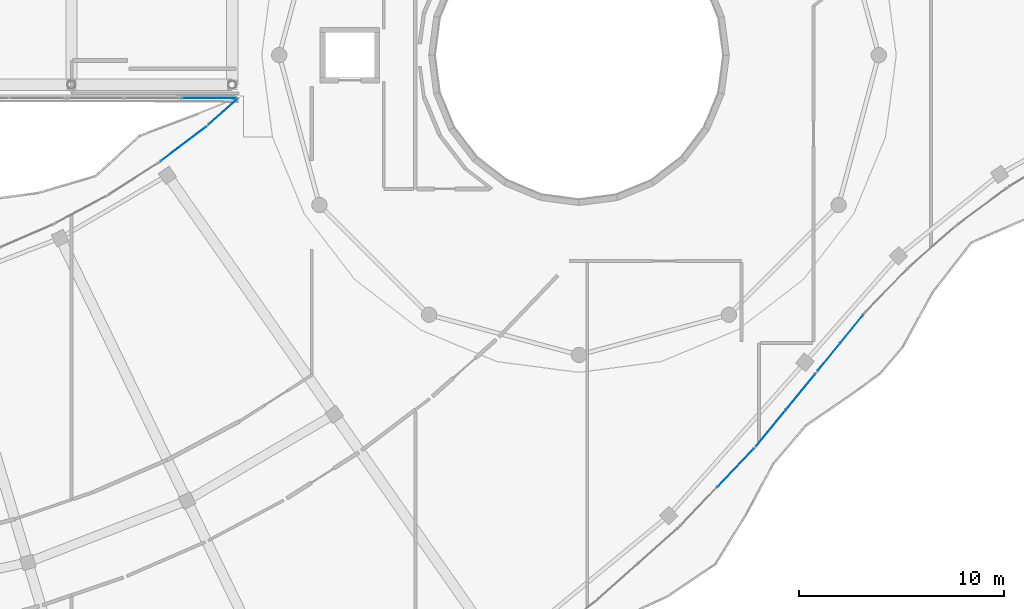
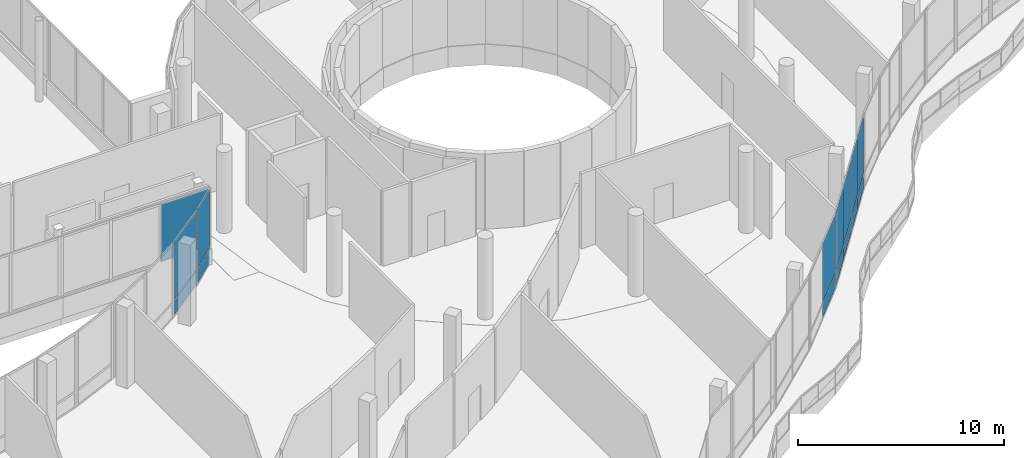
# One storey, part 119 of 155: 15 plates, 6 elements without a shape of their own.
"""IFC4 building model written with IfcOpenShell, lengths in metres."""

from ifc_helpers import new_model, si_unit, direction, frame, origin, origin_2d, place, context, subcontext, project, spatial, rectangle, extrude, material, layer, layer_set, type_object, element, aggregate, save


model = new_model("IFC4")

# Units and contexts
model_context = context("Model", 3, precision=1e-05, world=origin(), true_north=direction((0.0, 1.0)))
body_context = subcontext(model_context, "Body", "Model", "MODEL_VIEW")
ifc_project = project(units=[si_unit("LENGTHUNIT", "METRE"), si_unit("AREAUNIT", "SQUARE_METRE"), si_unit("VOLUMEUNIT", "CUBIC_METRE"), si_unit("PLANEANGLEUNIT", "RADIAN"), si_unit("MASSUNIT", "GRAM", prefix="KILO")], contexts=[model_context])

# Site, building, storey
site_placement = place(None, origin())
site = spatial("IfcSite", under=ifc_project, at=site_placement, CompositionType="ELEMENT")
building_placement = place(site_placement, origin())
building = spatial("IfcBuilding", under=site, at=building_placement, Name="Selatvlak General Hospital", CompositionType="ELEMENT")
storey_placement = place(building_placement, frame((0.0, 0.0, 10.199951171875)))
storey = spatial("IfcBuildingStorey", under=building, at=storey_placement, Name="L02", CompositionType="ELEMENT", Elevation=10.199951171875)

# Curtain wall, plates
ifc_material = material(Name="Solar-control Low-E double glazing", Category="glass")
curtain_wall_type_1 = type_object("IfcCurtainWallType", Name="CW-CW-02", PredefinedType="USERDEFINED", material=ifc_material)
curtain_wall_1_placement = place(storey_placement, origin())
curtain_wall_1 = element("IfcCurtainWall", 1, at=curtain_wall_1_placement, inside=storey, type_object=curtain_wall_type_1, Name="Glazed facade curtain wall CW-L02-0294", ObjectType="UNITISED CURTAIN WALL", PredefinedType="USERDEFINED")
ifc_layer = layer(ifc_material, 0.028076171875, Name="Solar-control Low-E double glazing", Category="glass")
ifc_layer_set = layer_set([ifc_layer], Name="Solar-control Low-E double glazing")
plate_type = type_object("IfcPlateType", Name="CWP-01", PredefinedType="CURTAIN_PANEL", material=ifc_layer_set)
plate_1_placement = place(storey_placement, frame((111.345458984375, 40.64013671875, 0.06494140625), z_axis=(0.0, 0.0, 1.0), x_axis=(-0.630334315986, -0.776323804924, 0.0)))
plate_1 = element("IfcPlate", 2, at=plate_1_placement, type_object=plate_type, Name="CW-02 panel 1.1", PredefinedType="CURTAIN_PANEL", context=body_context, shape_type="SweptSolid", body=[
    extrude(rectangle(XDim=1.724609375, YDim=0.028076171875, at=origin_2d()), origin(), (0.0, 0.0, 1.0), 0.8525390625),
])
plate_2_placement = place(storey_placement, frame((111.345458984375, 40.64013671875, 0.982421875), z_axis=(0.0, 0.0, 1.0), x_axis=(-0.630334315986, -0.776323804924, 0.0)))
plate_2 = element("IfcPlate", 3, at=plate_2_placement, type_object=plate_type, Name="CW-02 panel 1.2", PredefinedType="CURTAIN_PANEL", context=body_context, shape_type="SweptSolid", body=[
    extrude(rectangle(XDim=1.724609375, YDim=0.028076171875, at=origin_2d()), origin(), (0.0, 0.0, 1.0), 3.41259765625),
])
plate_3_placement = place(storey_placement, frame((110.217529296875, 39.2509765625, 0.06494140625), z_axis=(0.0, 0.0, 1.0), x_axis=(-0.630334315986, -0.776323804924, 0.0)))
plate_3 = element("IfcPlate", 4, at=plate_3_placement, type_object=plate_type, Name="CW-02 panel 2.1", PredefinedType="CURTAIN_PANEL", context=body_context, shape_type="SweptSolid", body=[
    extrude(rectangle(XDim=1.724609375, YDim=0.028076171875, at=origin_2d()), origin(), (0.0, 0.0, 1.0), 0.8525390625),
])
plate_4_placement = place(storey_placement, frame((110.217529296875, 39.2509765625, 0.982421875), z_axis=(0.0, 0.0, 1.0), x_axis=(-0.630334315986, -0.776323804924, 0.0)))
plate_4 = element("IfcPlate", 5, at=plate_4_placement, type_object=plate_type, Name="CW-02 panel 2.2", PredefinedType="CURTAIN_PANEL", context=body_context, shape_type="SweptSolid", body=[
    extrude(rectangle(XDim=1.724609375, YDim=0.028076171875, at=origin_2d()), origin(), (0.0, 0.0, 1.0), 3.41259765625),
])
aggregate(curtain_wall_1, [plate_1, plate_2, plate_3, plate_4])

curtain_wall_type_2 = type_object("IfcCurtainWallType", Name="CW-CW-01", PredefinedType="USERDEFINED", material=ifc_material)
curtain_wall_2_placement = place(storey_placement, origin())
curtain_wall_2 = element("IfcCurtainWall", 6, at=curtain_wall_2_placement, inside=storey, type_object=curtain_wall_type_2, Name="Glazed facade curtain wall CW-L02-0295", ObjectType="UNITISED CURTAIN WALL", PredefinedType="USERDEFINED")
plate_5_placement = place(storey_placement, frame((108.83251953125, 37.55126953125, 0.06494140625), z_axis=(0.0, 0.0, 1.0), x_axis=(-0.633447461018, -0.773785702976, 0.0)))
plate_5 = element("IfcPlate", 7, at=plate_5_placement, type_object=plate_type, Name="CW-01 panel 1.1", PredefinedType="CURTAIN_PANEL", context=body_context, shape_type="SweptSolid", body=[
    extrude(rectangle(XDim=2.23974609375, YDim=0.028076171875, at=origin_2d()), origin(), (0.0, 0.0, 1.0), 0.8525390625),
])
plate_6_placement = place(storey_placement, frame((108.83251953125, 37.55126953125, 0.982421875), z_axis=(0.0, 0.0, 1.0), x_axis=(-0.633447461018, -0.773785702976, 0.0)))
plate_6 = element("IfcPlate", 8, at=plate_6_placement, type_object=plate_type, Name="CW-01 panel 1.2", PredefinedType="CURTAIN_PANEL", context=body_context, shape_type="SweptSolid", body=[
    extrude(rectangle(XDim=2.23974609375, YDim=0.028076171875, at=origin_2d()), origin(), (0.0, 0.0, 1.0), 3.41259765625),
])
plate_7_placement = place(storey_placement, frame((107.37255859375, 35.767822265625, 0.06494140625), z_axis=(0.0, 0.0, 1.0), x_axis=(-0.633447461018, -0.773785702976, 0.0)))
plate_7 = element("IfcPlate", 9, at=plate_7_placement, type_object=plate_type, Name="CW-01 panel 2.1", PredefinedType="CURTAIN_PANEL", context=body_context, shape_type="SweptSolid", body=[
    extrude(rectangle(XDim=2.23974609375, YDim=0.028076171875, at=origin_2d()), origin(), (0.0, 0.0, 1.0), 0.8525390625),
])
plate_8_placement = place(storey_placement, frame((107.37255859375, 35.767822265625, 0.982421875), z_axis=(0.0, 0.0, 1.0), x_axis=(-0.633447461018, -0.773785702976, 0.0)))
plate_8 = element("IfcPlate", 10, at=plate_8_placement, type_object=plate_type, Name="CW-01 panel 2.2", PredefinedType="CURTAIN_PANEL", context=body_context, shape_type="SweptSolid", body=[
    extrude(rectangle(XDim=2.23974609375, YDim=0.028076171875, at=origin_2d()), origin(), (0.0, 0.0, 1.0), 3.41259765625),
])
aggregate(curtain_wall_2, [plate_5, plate_6, plate_7, plate_8])

curtain_wall_3_placement = place(storey_placement, origin())
curtain_wall_3 = element("IfcCurtainWall", 11, at=curtain_wall_3_placement, inside=storey, type_object=curtain_wall_type_1, Name="Glazed facade curtain wall CW-L02-0296", ObjectType="UNITISED CURTAIN WALL", PredefinedType="USERDEFINED")
plate_9_placement = place(storey_placement, frame((105.6435546875, 33.82470703125, 0.06494140625), z_axis=(0.0, 0.0, 1.0), x_axis=(-0.690943452785, -0.722908808256, 0.0)))
plate_9 = element("IfcPlate", 12, at=plate_9_placement, type_object=plate_type, Name="CW-02 panel 1.1", PredefinedType="CURTAIN_PANEL", context=body_context, shape_type="SweptSolid", body=[
    extrude(rectangle(XDim=2.5458984375, YDim=0.028076171875, at=origin_2d()), origin(), (0.0, 0.0, 1.0), 0.8525390625),
])
plate_10_placement = place(storey_placement, frame((105.6435546875, 33.82470703125, 0.982421875), z_axis=(0.0, 0.0, 1.0), x_axis=(-0.690943452785, -0.722908808256, 0.0)))
plate_10 = element("IfcPlate", 13, at=plate_10_placement, type_object=plate_type, Name="CW-02 panel 1.2", PredefinedType="CURTAIN_PANEL", context=body_context, shape_type="SweptSolid", body=[
    extrude(rectangle(XDim=2.5458984375, YDim=0.028076171875, at=origin_2d()), origin(), (0.0, 0.0, 1.0), 3.41259765625),
])
aggregate(curtain_wall_3, [plate_9, plate_10])

curtain_wall_4_placement = place(storey_placement, origin())
curtain_wall_4 = element("IfcCurtainWall", 14, at=curtain_wall_4_placement, inside=storey, type_object=curtain_wall_type_2, Name="Glazed facade curtain wall CW-L02-0337", ObjectType="UNITISED CURTAIN WALL", PredefinedType="USERDEFINED")
plate_11_placement = place(storey_placement, frame((78.6630859375, 49.660400390625, 0.06494140625), z_axis=(0.0, 0.0, 1.0), x_axis=(0.796593922952, 0.604514782215, 0.0)))
plate_11 = element("IfcPlate", 15, at=plate_11_placement, type_object=plate_type, Name="CW-01 panel 1.1", PredefinedType="CURTAIN_PANEL", context=body_context, shape_type="SweptSolid", body=[
    extrude(rectangle(XDim=2.769775390625, YDim=0.028076171875, at=origin_2d()), origin(), (0.0, 0.0, 1.0), 0.8525390625),
])
plate_12_placement = place(storey_placement, frame((78.6630859375, 49.660400390625, 0.982421875), z_axis=(0.0, 0.0, 1.0), x_axis=(0.796593922952, 0.604514782215, 0.0)))
plate_12 = element("IfcPlate", 16, at=plate_12_placement, type_object=plate_type, Name="CW-01 panel 1.2", PredefinedType="CURTAIN_PANEL", context=body_context, shape_type="SweptSolid", body=[
    extrude(rectangle(XDim=2.769775390625, YDim=0.028076171875, at=origin_2d()), origin(), (0.0, 0.0, 1.0), 3.41259765625),
])
aggregate(curtain_wall_4, [plate_11, plate_12])

curtain_wall_5_placement = place(storey_placement, origin())
curtain_wall_5 = element("IfcCurtainWall", 17, at=curtain_wall_5_placement, inside=storey, type_object=curtain_wall_type_1, Name="Glazed facade curtain wall CW-L02-0338", ObjectType="UNITISED CURTAIN WALL", PredefinedType="USERDEFINED")
plate_13_placement = place(storey_placement, frame((80.6044921875, 51.237060546875, 0.06494140625), z_axis=(0.0, 0.0, 1.0), x_axis=(0.746274747631, 0.665638040566, 0.0)))
plate_13 = element("IfcPlate", 18, at=plate_13_placement, type_object=plate_type, Name="CW-02 panel 1.1", PredefinedType="CURTAIN_PANEL", context=body_context, shape_type="SweptSolid", body=[
    extrude(rectangle(XDim=1.81689453125, YDim=0.028076171875, at=origin_2d()), origin(), (0.0, 0.0, 1.0), 0.8525390625),
])
plate_14_placement = place(storey_placement, frame((80.6044921875, 51.237060546875, 0.982421875), z_axis=(0.0, 0.0, 1.0), x_axis=(0.746274747631, 0.665638040566, 0.0)))
plate_14 = element("IfcPlate", 19, at=plate_14_placement, type_object=plate_type, Name="CW-02 panel 1.2", PredefinedType="CURTAIN_PANEL", context=body_context, shape_type="SweptSolid", body=[
    extrude(rectangle(XDim=1.81689453125, YDim=0.028076171875, at=origin_2d()), origin(), (0.0, 0.0, 1.0), 3.41259765625),
])
aggregate(curtain_wall_5, [plate_13, plate_14])

# Curtain wall, plate
curtain_wall_6_placement = place(storey_placement, origin())
curtain_wall_6 = element("IfcCurtainWall", 20, at=curtain_wall_6_placement, inside=storey, type_object=curtain_wall_type_1, Name="Glazed facade curtain wall CW-L02-0339", ObjectType="UNITISED CURTAIN WALL", PredefinedType="USERDEFINED")
plate_15_placement = place(storey_placement, frame((79.922119140625, 51.8974609375, 1.0048828125), z_axis=(0.0, 0.0, 1.0), x_axis=(-0.999998379485, 0.001800285137, 0.0)))
plate_15 = element("IfcPlate", 21, at=plate_15_placement, type_object=plate_type, Name="CW-02 panel 1.1", PredefinedType="CURTAIN_PANEL", context=body_context, shape_type="SweptSolid", body=[
    extrude(rectangle(XDim=2.679931640625, YDim=0.028076171875, at=origin_2d()), origin(), (0.0, 0.0, 1.0), 3.389892578125),
])
aggregate(curtain_wall_6, [plate_15])

save(model, "model.ifc")
